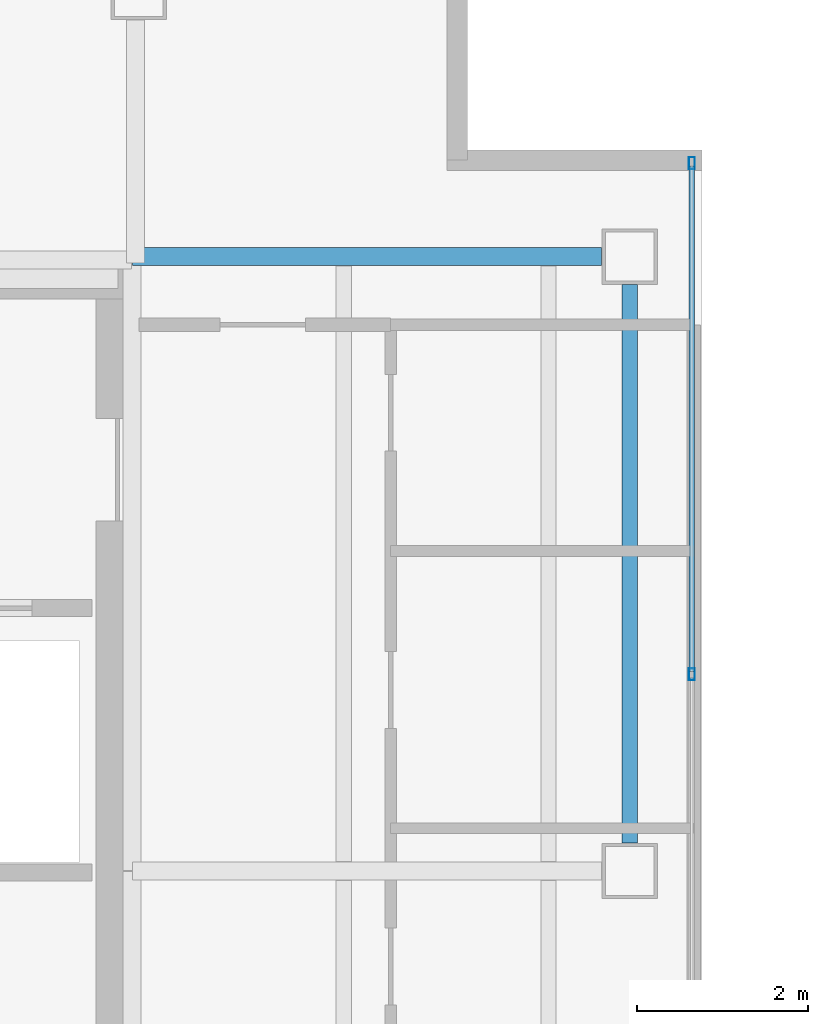
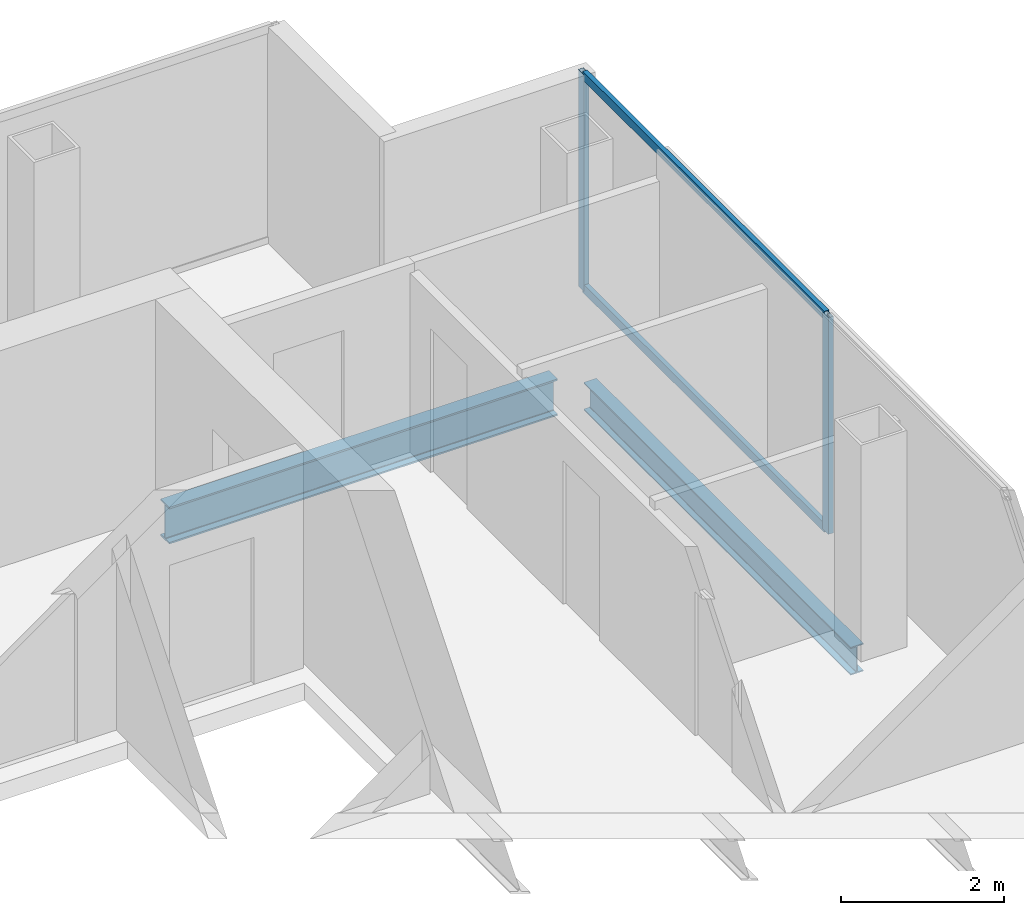
# One storey, part 11 of 24: 4 members, 2 beams, 1 element without a shape of its own.
"""IFC4 building model written with IfcOpenShell, lengths in metres."""

from ifc_helpers import new_model, si_unit, direction, frame, origin, origin_2d, place, context, subcontext, project, spatial, hollow_rectangle, i_section, extrude, material, material_profile, profile_set, type_object, element, aggregate, save


model = new_model("IFC4")

# Units and contexts
model_context = context("Model", 3, precision=1e-05, world=origin(), true_north=direction((0.0, 1.0)))
body_context = subcontext(model_context, "Body", "Model", "MODEL_VIEW")
ifc_project = project(units=[si_unit("LENGTHUNIT", "METRE"), si_unit("AREAUNIT", "SQUARE_METRE"), si_unit("VOLUMEUNIT", "CUBIC_METRE"), si_unit("PLANEANGLEUNIT", "RADIAN"), si_unit("MASSUNIT", "GRAM", prefix="KILO")], contexts=[model_context])

# Site, building, storey
site_placement = place(None, origin())
site = spatial("IfcSite", under=ifc_project, at=site_placement, CompositionType="ELEMENT")
building_placement = place(site_placement, origin())
building = spatial("IfcBuilding", under=site, at=building_placement, Name="Cobrela Telecom Tower", CompositionType="ELEMENT")
storey_placement = place(building_placement, frame((0.0, 0.0, 248.14990234375)))
storey = spatial("IfcBuildingStorey", under=building, at=storey_placement, Name="L64", CompositionType="ELEMENT", Elevation=248.14990234375)

# Beams
ifc_material_1 = material(Name="Steel ASTM A992 Grade 50", Category="steel")
ifc_material_profile_1 = material_profile(ifc_material_1, i_section(OverallWidth=0.212890625, OverallDepth=0.549072265625, WebThickness=0.0146484375, FlangeThickness=0.023681640625, FilletRadius=0.013916015625, at=origin_2d()), Name="W21X93")
ifc_profile_set_1 = profile_set([ifc_material_profile_1], Name="Steel ASTM A992 Grade 50")
beam_type_1 = type_object("IfcBeamType", Name="BM-GIRD-08", PredefinedType="USERDEFINED", material=ifc_profile_set_1)
beam_1_placement = place(storey_placement, frame((14.324951171875, 36.0, -0.534423828125), z_axis=(1.0, 0.0, 0.0), x_axis=(0.0, 1.0, 0.0)))
element("IfcBeam", 1, at=beam_1_placement, inside=storey, type_object=beam_type_1, Name="L64 Primary Girder X18", ObjectType="GIRDER", PredefinedType="USERDEFINED", context=body_context, shape_type="SweptSolid", body=[
    extrude(i_section(OverallWidth=0.212890625, OverallDepth=0.549072265625, WebThickness=0.0146484375, FlangeThickness=0.023681640625, FilletRadius=0.013916015625, at=origin_2d()), origin(), (0.0, 0.0, 1.0), 5.4951171875),
])
ifc_material_profile_2 = material_profile(ifc_material_1, i_section(OverallWidth=0.179931640625, OverallDepth=0.4169921875, WebThickness=0.010986328125, FlangeThickness=0.01806640625, FilletRadius=0.011962890625, at=origin_2d()), Name="W16X57")
ifc_profile_set_2 = profile_set([ifc_material_profile_2], Name="Steel ASTM A992 Grade 50")
beam_type_2 = type_object("IfcBeamType", Name="BM-SPAND-06", PredefinedType="SPANDREL", material=ifc_profile_set_2)
beam_2_placement = place(storey_placement, frame((20.14990234375, 29.1298828125, -0.468505859375), z_axis=(0.0, 1.0, 0.0), x_axis=(-1.0, 0.0, 0.0)))
element("IfcBeam", 2, at=beam_2_placement, inside=storey, type_object=beam_type_2, Name="L64 Perimeter Spandrel Y26", PredefinedType="SPANDREL", context=body_context, shape_type="SweptSolid", body=[
    extrude(i_section(OverallWidth=0.179931640625, OverallDepth=0.4169921875, WebThickness=0.010986328125, FlangeThickness=0.01806640625, FilletRadius=0.011962890625, at=origin_2d()), origin(), (0.0, 0.0, 1.0), 6.5400390625),
])

# Curtain wall, members
ifc_material_2 = material(Name="Anodized Bronze Aluminium 6063-T6", Category="aluminium")
curtain_wall_type = type_object("IfcCurtainWallType", Name="CW-SYS-OFF-HI", PredefinedType="USERDEFINED", material=ifc_material_2)
curtain_wall_placement = place(storey_placement, origin())
curtain_wall = element("IfcCurtainWall", 3, at=curtain_wall_placement, inside=storey, type_object=curtain_wall_type, Name="L64 Unitised Bronze Curtain Wall 08", ObjectType="UNITISED CURTAIN WALL", PredefinedType="USERDEFINED")
ifc_material_profile_3 = material_profile(ifc_material_2, hollow_rectangle(XDim=0.070068359375, YDim=0.139892578125, WallThickness=0.00390625, at=origin_2d()), Name="ALU 70x140x4")
ifc_profile_set_3 = profile_set([ifc_material_profile_3], Name="Anodized Bronze Aluminium 6063-T6")
member_type_1 = type_object("IfcMemberType", Name="CW-SYS-OFF-HI-MUL", PredefinedType="MULLION", material=ifc_profile_set_3)
member_1_placement = place(storey_placement, frame((20.8798828125, 37.094970703125, 0.0), z_axis=(0.0, 0.0, 1.0), x_axis=(1.0, 0.0, 0.0)))
member_1 = element("IfcMember", 4, at=member_1_placement, type_object=member_type_1, Name="CW-OFF-HI mullion 1", PredefinedType="MULLION", context=body_context, shape_type="SweptSolid", body=[
    extrude(hollow_rectangle(XDim=0.070068359375, YDim=0.139892578125, WallThickness=0.00390625, at=origin_2d()), origin(), (0.0, 0.0, 1.0), 3.239990234375),
])
member_2_placement = place(storey_placement, frame((20.8798828125, 31.10498046875, 0.0), z_axis=(0.0, 0.0, 1.0), x_axis=(1.0, 0.0, 0.0)))
member_2 = element("IfcMember", 5, at=member_2_placement, type_object=member_type_1, Name="CW-OFF-HI mullion 2", PredefinedType="MULLION", context=body_context, shape_type="SweptSolid", body=[
    extrude(hollow_rectangle(XDim=0.070068359375, YDim=0.139892578125, WallThickness=0.00390625, at=origin_2d()), origin(), (0.0, 0.0, 1.0), 3.239990234375),
])
ifc_material_profile_4 = material_profile(ifc_material_2, hollow_rectangle(XDim=0.06494140625, YDim=0.1298828125, WallThickness=0.00390625, at=origin_2d()), Name="ALU 65x130x4")
ifc_profile_set_4 = profile_set([ifc_material_profile_4], Name="Anodized Bronze Aluminium 6063-T6")
member_type_2 = type_object("IfcMemberType", Name="CW-SYS-OFF-HI-TRN", PredefinedType="USERDEFINED", material=ifc_profile_set_4)
member_3_placement = place(storey_placement, frame((20.8798828125, 37.06005859375, 0.03271484375), z_axis=(0.0, -1.0, 0.0), x_axis=(1.0, 0.0, 0.0)))
member_3 = element("IfcMember", 6, at=member_3_placement, type_object=member_type_2, Name="CW-OFF-HI transom 1.1", ObjectType="TRANSOM", PredefinedType="USERDEFINED", context=body_context, shape_type="SweptSolid", body=[
    extrude(hollow_rectangle(XDim=0.06494140625, YDim=0.1298828125, WallThickness=0.00390625, at=origin_2d()), origin(), (0.0, 0.0, 1.0), 5.920166015625),
])
member_4_placement = place(storey_placement, frame((20.8798828125, 37.06005859375, 3.20751953125), z_axis=(0.0, -1.0, 0.0), x_axis=(1.0, 0.0, 0.0)))
member_4 = element("IfcMember", 7, at=member_4_placement, type_object=member_type_2, Name="CW-OFF-HI transom 1.2", ObjectType="TRANSOM", PredefinedType="USERDEFINED", context=body_context, shape_type="SweptSolid", body=[
    extrude(hollow_rectangle(XDim=0.06494140625, YDim=0.1298828125, WallThickness=0.00390625, at=origin_2d()), origin(), (0.0, 0.0, 1.0), 5.920166015625),
])
aggregate(curtain_wall, [member_1, member_2, member_3, member_4])

save(model, "model.ifc")
